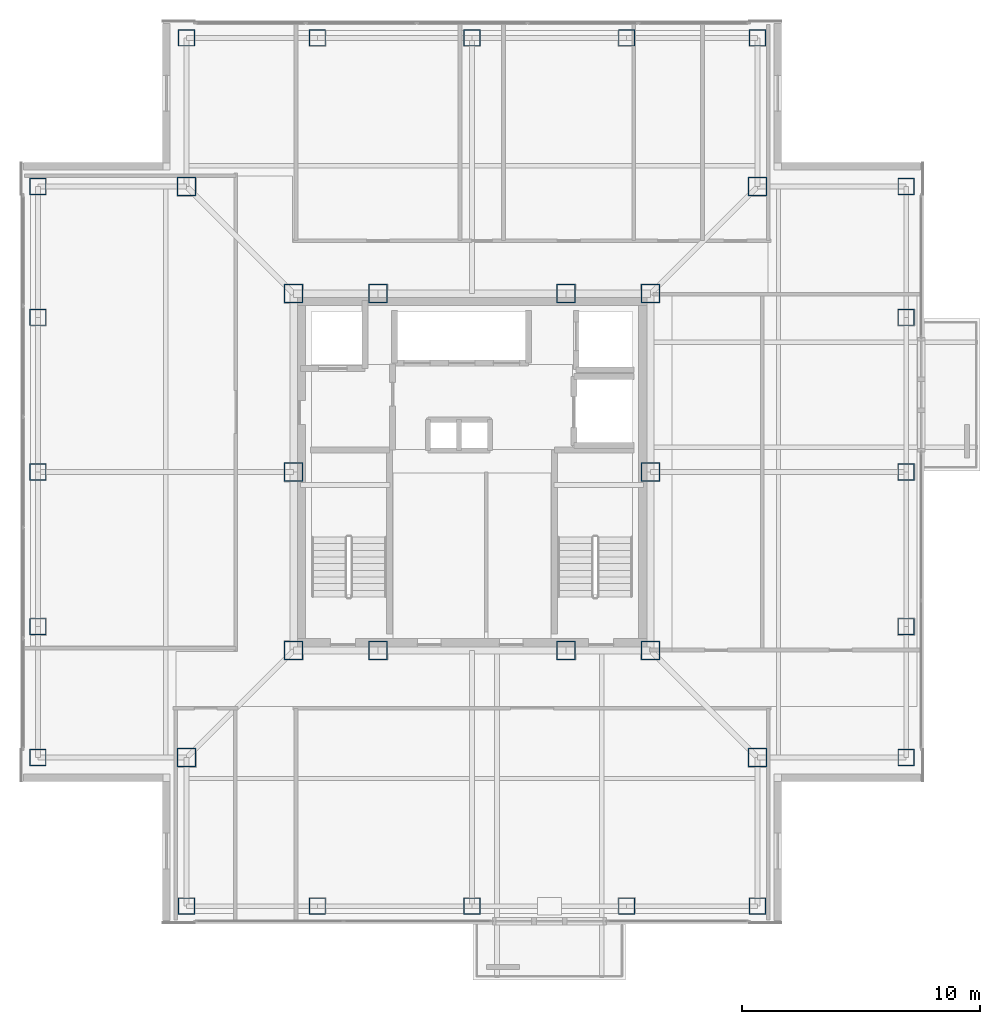
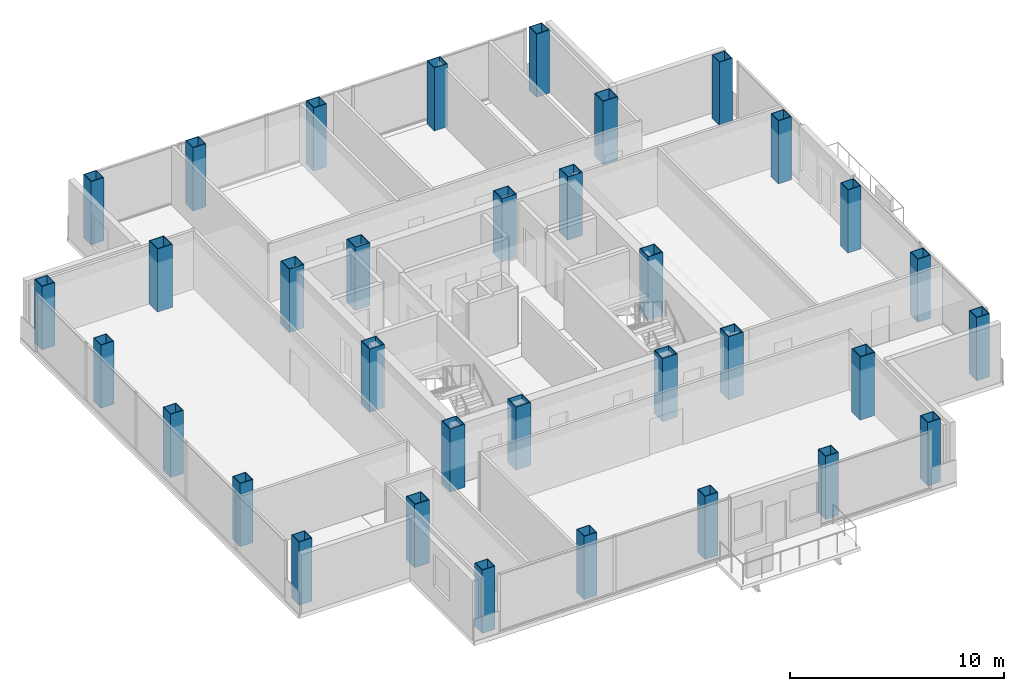
# One storey, part 1 of 15: 34 columns.
"""IFC4 building model written with IfcOpenShell, lengths in metres."""

from ifc_helpers import new_model, si_unit, direction, frame, origin, origin_2d, place, context, subcontext, project, spatial, hollow_rectangle, extrude, material, material_profile, profile_set, type_object, element, save


model = new_model("IFC4")

# Units and contexts
model_context = context("Model", 3, precision=1e-05, world=origin(), true_north=direction((0.0, 1.0)))
body_context = subcontext(model_context, "Body", "Model", "MODEL_VIEW")
ifc_project = project(units=[si_unit("LENGTHUNIT", "METRE"), si_unit("AREAUNIT", "SQUARE_METRE"), si_unit("VOLUMEUNIT", "CUBIC_METRE"), si_unit("PLANEANGLEUNIT", "RADIAN"), si_unit("MASSUNIT", "GRAM", prefix="KILO")], contexts=[model_context])

# Site, building, storey
site_placement = place(None, origin())
site = spatial("IfcSite", under=ifc_project, at=site_placement, CompositionType="ELEMENT")
building_placement = place(site_placement, origin())
building = spatial("IfcBuilding", under=site, at=building_placement, Name="Trevonay Congress Spire", CompositionType="ELEMENT")
storey_placement = place(building_placement, frame((0.0, 0.0, 243.199951171875)))
storey = spatial("IfcBuildingStorey", under=building, at=storey_placement, Name="L63", CompositionType="ELEMENT", Elevation=243.199951171875)

# Columns
ifc_material = material(Name="Steel ASTM A572 Grade 50", Category="steel")
ifc_material_profile_1 = material_profile(ifc_material, hollow_rectangle(XDim=0.800048828125, YDim=0.800048828125, WallThickness=0.0400390625, at=origin_2d()), Name="BOX 800x800x40")
ifc_profile_set_1 = profile_set([ifc_material_profile_1], Name="Steel ASTM A572 Grade 50")
column_type_1 = type_object("IfcColumnType", Name="COL-CORE-BOX800", PredefinedType="COLUMN", material=ifc_profile_set_1)
for number, where, z_axis, x_axis, name in (
    (1, (-7.5, -7.5, 0.0), (0.0, 0.0, 1.0), (1.0, 0.0, 0.0), "L63 column C05 at CC-SW"),
    (2, (-3.949951171875, -7.5, 0.0), (0.0, 0.0, 1.0), (1.0, 0.0, 0.0), "L63 column C05 at CC-SMW"),
    (3, (3.949951171875, -7.5, 0.0), (0.0, 0.0, 1.0), (1.0, 0.0, 0.0), "L63 column C05 at CC-SME"),
    (4, (7.5, -7.5, 0.0), (0.0, 0.0, 1.0), (1.0, 0.0, 0.0), "L63 column C05 at CC-SE"),
    (5, (7.5, 0.0, 0.0), (0.0, 0.0, 1.0), (1.0, 0.0, 0.0), "L63 column C05 at CC-E"),
    (6, (7.5, 7.5, 0.0), (0.0, 0.0, 1.0), (1.0, 0.0, 0.0), "L63 column C05 at CC-NE"),
    (7, (3.949951171875, 7.5, 0.0), (0.0, 0.0, 1.0), (1.0, 0.0, 0.0), "L63 column C05 at CC-NME"),
    (8, (-3.949951171875, 7.5, 0.0), (0.0, 0.0, 1.0), (1.0, 0.0, 0.0), "L63 column C05 at CC-NMW"),
    (9, (-7.5, 7.5, 0.0), (0.0, 0.0, 1.0), (1.0, 0.0, 0.0), "L63 column C05 at CC-NW"),
    (10, (-7.5, 0.0, 0.0), (0.0, 0.0, 1.0), (1.0, 0.0, 0.0), "L63 column C05 at CC-W"),
):
    element("IfcColumn", number, at=place(storey_placement, frame(where, z_axis=z_axis, x_axis=x_axis)), inside=storey, type_object=column_type_1, Name=name, PredefinedType="COLUMN", context=body_context, shape_type="SweptSolid", body=[
        extrude(hollow_rectangle(XDim=0.800048828125, YDim=0.800048828125, WallThickness=0.0400390625, at=origin_2d()), origin(), (0.0, 0.0, 1.0), 3.60009765625),
    ])
ifc_material_profile_2 = material_profile(ifc_material, hollow_rectangle(XDim=0.699951171875, YDim=0.699951171875, WallThickness=0.034912109375, at=origin_2d()), Name="BOX 700x700x35")
ifc_profile_set_2 = profile_set([ifc_material_profile_2], Name="Steel ASTM A572 Grade 50")
column_type_2 = type_object("IfcColumnType", Name="COL-TUBE-BOX700", PredefinedType="COLUMN", material=ifc_profile_set_2)
for number, where, z_axis, x_axis, name in (
    (11, (-12.0, -18.25, 0.0), (0.0, 0.0, 1.0), (1.0, 0.0, 0.0), "L63 column C17 at TS-1"),
    (12, (-12.0, 18.25, 0.0), (0.0, 0.0, 1.0), (1.0, 0.0, 0.0), "L63 column C17 at TN-1"),
    (13, (-18.25, -12.0, 0.0), (0.0, 0.0, 1.0), (1.0, 0.0, 0.0), "L63 column C17 at TW-1"),
    (14, (18.25, -12.0, 0.0), (0.0, 0.0, 1.0), (1.0, 0.0, 0.0), "L63 column C17 at TE-1"),
    (15, (-6.5, -18.25, 0.0), (0.0, 0.0, 1.0), (1.0, 0.0, 0.0), "L63 column C17 at TS-2"),
    (16, (-6.5, 18.25, 0.0), (0.0, 0.0, 1.0), (1.0, 0.0, 0.0), "L63 column C17 at TN-2"),
    (17, (-18.25, -6.5, 0.0), (0.0, 0.0, 1.0), (1.0, 0.0, 0.0), "L63 column C17 at TW-2"),
    (18, (18.25, -6.5, 0.0), (0.0, 0.0, 1.0), (1.0, 0.0, 0.0), "L63 column C17 at TE-2"),
    (19, (0.0, -18.25, 0.0), (0.0, 0.0, 1.0), (1.0, 0.0, 0.0), "L63 column C17 at TS-3"),
    (20, (0.0, 18.25, 0.0), (0.0, 0.0, 1.0), (1.0, 0.0, 0.0), "L63 column C17 at TN-3"),
    (21, (-18.25, 0.0, 0.0), (0.0, 0.0, 1.0), (1.0, 0.0, 0.0), "L63 column C17 at TW-3"),
    (22, (18.25, 0.0, 0.0), (0.0, 0.0, 1.0), (1.0, 0.0, 0.0), "L63 column C17 at TE-3"),
    (23, (6.5, -18.25, 0.0), (0.0, 0.0, 1.0), (1.0, 0.0, 0.0), "L63 column C17 at TS-4"),
    (24, (6.5, 18.25, 0.0), (0.0, 0.0, 1.0), (1.0, 0.0, 0.0), "L63 column C17 at TN-4"),
    (25, (-18.25, 6.5, 0.0), (0.0, 0.0, 1.0), (1.0, 0.0, 0.0), "L63 column C17 at TW-4"),
    (26, (18.25, 6.5, 0.0), (0.0, 0.0, 1.0), (1.0, 0.0, 0.0), "L63 column C17 at TE-4"),
    (27, (12.0, -18.25, 0.0), (0.0, 0.0, 1.0), (1.0, 0.0, 0.0), "L63 column C17 at TS-5"),
    (28, (12.0, 18.25, 0.0), (0.0, 0.0, 1.0), (1.0, 0.0, 0.0), "L63 column C17 at TN-5"),
    (29, (-18.25, 12.0, 0.0), (0.0, 0.0, 1.0), (1.0, 0.0, 0.0), "L63 column C17 at TW-5"),
    (30, (18.25, 12.0, 0.0), (0.0, 0.0, 1.0), (1.0, 0.0, 0.0), "L63 column C17 at TE-5"),
):
    element("IfcColumn", number, at=place(storey_placement, frame(where, z_axis=z_axis, x_axis=x_axis)), inside=storey, type_object=column_type_2, Name=name, PredefinedType="COLUMN", context=body_context, shape_type="SweptSolid", body=[
        extrude(hollow_rectangle(XDim=0.699951171875, YDim=0.699951171875, WallThickness=0.034912109375, at=origin_2d()), origin(), (0.0, 0.0, 1.0), 3.60009765625),
    ])
ifc_material_profile_3 = material_profile(ifc_material, hollow_rectangle(XDim=0.800048828125, YDim=0.800048828125, WallThickness=0.0400390625, at=origin_2d()), Name="BOX 800x800x40")
ifc_profile_set_3 = profile_set([ifc_material_profile_3], Name="Steel ASTM A572 Grade 50")
column_type_3 = type_object("IfcColumnType", Name="COL-TUBE-BOX800", PredefinedType="COLUMN", material=ifc_profile_set_3)
for number, where, z_axis, x_axis, name in (
    (31, (-12.0, -12.0, 0.0), (0.0, 0.0, 1.0), (1.0, 0.0, 0.0), "L63 column C16 at NC-SW"),
    (32, (12.0, -12.0, 0.0), (0.0, 0.0, 1.0), (1.0, 0.0, 0.0), "L63 column C16 at NC-SE"),
    (33, (12.0, 12.0, 0.0), (0.0, 0.0, 1.0), (1.0, 0.0, 0.0), "L63 column C16 at NC-NE"),
    (34, (-12.0, 12.0, 0.0), (0.0, 0.0, 1.0), (1.0, 0.0, 0.0), "L63 column C16 at NC-NW"),
):
    element("IfcColumn", number, at=place(storey_placement, frame(where, z_axis=z_axis, x_axis=x_axis)), inside=storey, type_object=column_type_3, Name=name, PredefinedType="COLUMN", context=body_context, shape_type="SweptSolid", body=[
        extrude(hollow_rectangle(XDim=0.800048828125, YDim=0.800048828125, WallThickness=0.0400390625, at=origin_2d()), origin(), (0.0, 0.0, 1.0), 3.60009765625),
    ])

save(model, "model.ifc")
